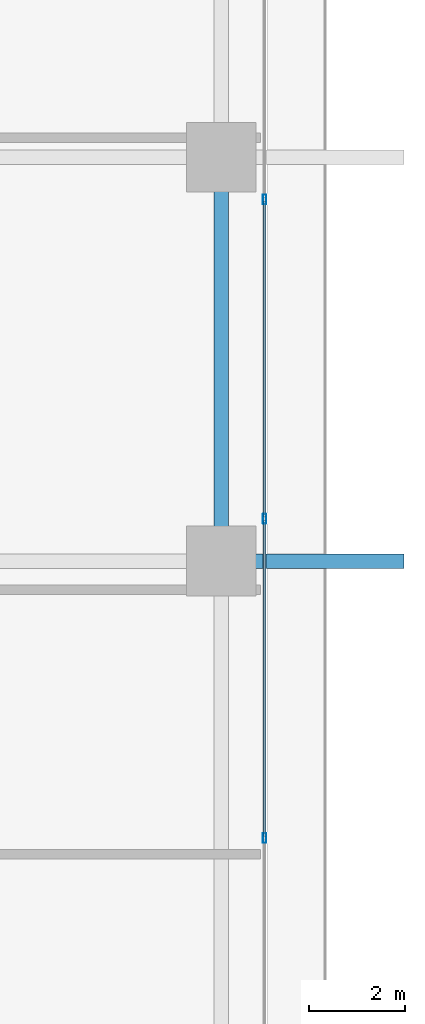
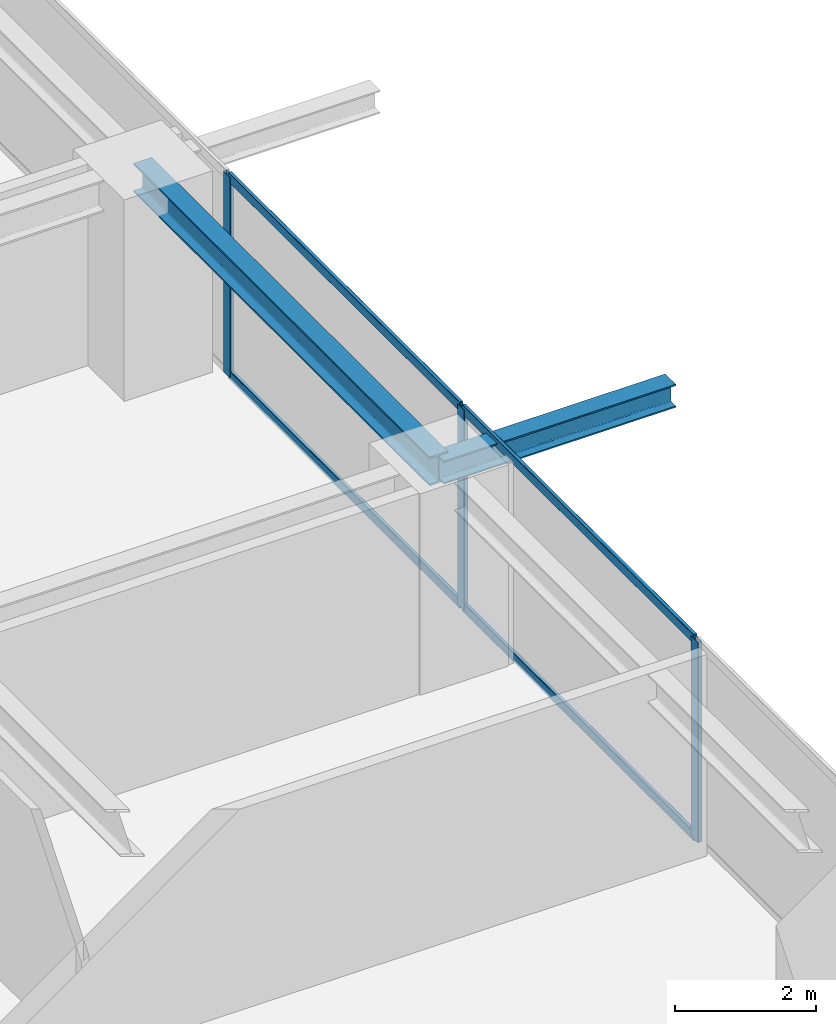
# One storey, part 15 of 40: 7 members, 2 beams, 1 element without a shape of its own.
"""IFC4 building model written with IfcOpenShell, lengths in metres."""

from ifc_helpers import new_model, si_unit, direction, frame, origin, origin_2d, place, context, subcontext, project, spatial, hollow_rectangle, i_section, extrude, source, transform, mapped, material, layer, layer_set, material_profile, profile_set, type_object, element, aggregate, save


model = new_model("IFC4")

# Units and contexts
model_context = context("Model", 3, precision=1e-05, world=origin(), true_north=direction((0.0, 1.0)))
body_context = subcontext(model_context, "Body", "Model", "MODEL_VIEW")
ifc_project = project(units=[si_unit("LENGTHUNIT", "METRE"), si_unit("AREAUNIT", "SQUARE_METRE"), si_unit("VOLUMEUNIT", "CUBIC_METRE"), si_unit("PLANEANGLEUNIT", "RADIAN"), si_unit("MASSUNIT", "GRAM", prefix="KILO")], contexts=[model_context])

# Site, building, storey
site_placement = place(None, origin())
site = spatial("IfcSite", under=ifc_project, at=site_placement, CompositionType="ELEMENT")
building_placement = place(site_placement, origin())
building = spatial("IfcBuilding", under=site, at=building_placement, Name="Serunith Strait Residences", CompositionType="ELEMENT")
storey_placement = place(building_placement, frame((0.0, 0.0, 90.449951171875)))
storey = spatial("IfcBuildingStorey", under=building, at=storey_placement, Name="L22", CompositionType="ELEMENT", Elevation=90.449951171875)

# Beams
ifc_material_1 = material(Name="Steel S355J2", Category="steel")
ifc_material_profile_1 = material_profile(ifc_material_1, i_section(OverallWidth=0.300048828125, OverallDepth=0.5, WebThickness=0.014404296875, FlangeThickness=0.028076171875, FilletRadius=0.027099609375, at=origin_2d()), Name="HEB 500")
ifc_profile_set_1 = profile_set([ifc_material_profile_1], Name="Steel S355J2")
beam_type_1 = type_object("IfcBeamType", Name="BM-HEB500", PredefinedType="BEAM", material=ifc_profile_set_1)
shared_shape_1 = source(origin(), body_context, "Body", "SweptSolid", [
    extrude(i_section(OverallWidth=0.300048828125, OverallDepth=0.5, WebThickness=0.014404296875, FlangeThickness=0.028076171875, FilletRadius=0.027099609375, at=origin_2d()), origin(), (0.0, 0.0, 1.0), 8.39990234375),
])
beam_1_placement = place(storey_placement, frame((57.89990234375, 21.0, 3.237060546875), z_axis=(0.0, 1.0, 0.0), x_axis=(-1.0, 0.0, 0.0)))
element("IfcBeam", 1, at=beam_1_placement, inside=storey, type_object=beam_type_1, Name="L22 Perimeter Ring Beam 06", PredefinedType="BEAM", context=body_context, shape_type="MappedRepresentation", body=[
    mapped(shared_shape_1, transform((0.0, 0.0, 0.0), scale=1.0)),
])
ifc_material_profile_2 = material_profile(ifc_material_1, i_section(OverallWidth=0.300048828125, OverallDepth=0.39990234375, WebThickness=0.013427734375, FlangeThickness=0.02392578125, FilletRadius=0.027099609375, at=origin_2d()), Name="HEB 400")
ifc_profile_set_2 = profile_set([ifc_material_profile_2], Name="Steel S355J2")
beam_type_2 = type_object("IfcBeamType", Name="BM-HEB400", PredefinedType="BEAM", material=ifc_profile_set_2)
shared_shape_2 = source(origin(), body_context, "Body", "SweptSolid", [
    extrude(i_section(OverallWidth=0.300048828125, OverallDepth=0.39990234375, WebThickness=0.013427734375, FlangeThickness=0.02392578125, FilletRadius=0.027099609375, at=origin_2d()), origin(), (0.0, 0.0, 1.0), 3.800048828125),
])
beam_2_placement = place(storey_placement, frame((57.89990234375, 21.0, 3.257080078125), z_axis=(1.0, 0.0, 0.0), x_axis=(0.0, 1.0, 0.0)))
element("IfcBeam", 2, at=beam_2_placement, inside=storey, type_object=beam_type_2, Name="L23 Cantilevered Balcony Rib TC-E2", PredefinedType="BEAM", context=body_context, shape_type="MappedRepresentation", body=[
    mapped(shared_shape_2, transform((0.0, 0.0, 0.0), scale=1.0)),
])

# Curtain wall, members
ifc_material_2 = material(Name="Pale-Champagne Anodised Aluminium", Category="aluminium")
ifc_layer = layer(ifc_material_2, 0.199951171875, Name="Pale-Champagne Anodised Aluminium")
ifc_layer_set = layer_set([ifc_layer], Name="Pale-Champagne Anodised Aluminium")
curtain_wall_type = type_object("IfcCurtainWallType", Name="CW-SYS1", PredefinedType="NOTDEFINED", material=ifc_layer_set)
curtain_wall_placement = place(storey_placement, origin())
curtain_wall = element("IfcCurtainWall", 3, at=curtain_wall_placement, inside=storey, type_object=curtain_wall_type, Name="L22 E Unitised Fritted Curtain Wall", PredefinedType="NOTDEFINED")
ifc_material_profile_3 = material_profile(ifc_material_2, hollow_rectangle(XDim=0.070068359375, YDim=0.199951171875, WallThickness=0.00390625, InnerFilletRadius=0.006103515625, OuterFilletRadius=0.010009765625, at=origin_2d()), Name="ALU 200x70x4")
ifc_profile_set_3 = profile_set([ifc_material_profile_3], Name="Pale-Champagne Anodised Aluminium")
member_type_1 = type_object("IfcMemberType", Name="CW-SYS1-MULL", PredefinedType="MULLION", material=ifc_profile_set_3)
shared_shape_3 = source(origin(), body_context, "Body", "SweptSolid", [
    extrude(hollow_rectangle(XDim=0.070068359375, YDim=0.199951171875, WallThickness=0.00390625, InnerFilletRadius=0.006103515625, OuterFilletRadius=0.010009765625, at=origin_2d()), origin(), (0.0, 0.0, 1.0), 3.47509765625),
])
member_1_placement = place(storey_placement, frame((58.800048828125, 15.239990234375, 0.0), z_axis=(0.0, 0.0, 1.0), x_axis=(-1.0, 0.0, 0.0)))
member_1 = element("IfcMember", 4, at=member_1_placement, type_object=member_type_1, Name="CW-1 mullion 2", PredefinedType="MULLION", context=body_context, shape_type="MappedRepresentation", body=[
    mapped(shared_shape_3, transform((0.0, 0.0, 0.0), scale=1.0)),
])
member_2_placement = place(storey_placement, frame((58.800048828125, 21.8798828125, 0.0), z_axis=(0.0, 0.0, 1.0), x_axis=(-1.0, 0.0, 0.0)))
member_2 = element("IfcMember", 5, at=member_2_placement, type_object=member_type_1, Name="CW-1 mullion 3", PredefinedType="MULLION", context=body_context, shape_type="MappedRepresentation", body=[
    mapped(shared_shape_3, transform((0.0, 0.0, 0.0), scale=1.0)),
])
member_3_placement = place(storey_placement, frame((58.800048828125, 28.52001953125, 0.0), z_axis=(0.0, 0.0, 1.0), x_axis=(-1.0, 0.0, 0.0)))
member_3 = element("IfcMember", 6, at=member_3_placement, type_object=member_type_1, Name="CW-1 mullion 4", PredefinedType="MULLION", context=body_context, shape_type="MappedRepresentation", body=[
    mapped(shared_shape_3, transform((0.0, 0.0, 0.0), scale=1.0)),
])
ifc_material_profile_4 = material_profile(ifc_material_2, hollow_rectangle(XDim=0.06005859375, YDim=0.159912109375, WallThickness=0.00341796875, InnerFilletRadius=0.00537109375, OuterFilletRadius=0.0087890625, at=origin_2d()), Name="ALU 160x60x3.5")
ifc_profile_set_4 = profile_set([ifc_material_profile_4], Name="Pale-Champagne Anodised Aluminium")
member_type_2 = type_object("IfcMemberType", Name="CW-SYS1-TRAN", PredefinedType="USERDEFINED", material=ifc_profile_set_4)
shared_shape_4 = source(origin(), body_context, "Body", "SweptSolid", [
    extrude(hollow_rectangle(XDim=0.06005859375, YDim=0.159912109375, WallThickness=0.00341796875, InnerFilletRadius=0.00537109375, OuterFilletRadius=0.0087890625, at=origin_2d()), origin(), (0.0, 0.0, 1.0), 6.570068359375),
])
member_4_placement = place(storey_placement, frame((58.800048828125, 15.27490234375, 0.030029296875), z_axis=(0.0, 1.0, 0.0), x_axis=(-1.0, 0.0, 0.0)))
member_4 = element("IfcMember", 7, at=member_4_placement, type_object=member_type_2, Name="CW-1 transom 2.1", ObjectType="TRANSOM", PredefinedType="USERDEFINED", context=body_context, shape_type="MappedRepresentation", body=[
    mapped(shared_shape_4, transform((0.0, 0.0, 0.0), scale=1.0)),
])
member_5_placement = place(storey_placement, frame((58.800048828125, 15.27490234375, 3.445068359375), z_axis=(0.0, 1.0, 0.0), x_axis=(-1.0, 0.0, 0.0)))
member_5 = element("IfcMember", 8, at=member_5_placement, type_object=member_type_2, Name="CW-1 transom 2.2", ObjectType="TRANSOM", PredefinedType="USERDEFINED", context=body_context, shape_type="MappedRepresentation", body=[
    mapped(shared_shape_4, transform((0.0, 0.0, 0.0), scale=1.0)),
])
member_6_placement = place(storey_placement, frame((58.800048828125, 21.9150390625, 0.030029296875), z_axis=(0.0, 1.0, 0.0), x_axis=(-1.0, 0.0, 0.0)))
member_6 = element("IfcMember", 9, at=member_6_placement, type_object=member_type_2, Name="CW-1 transom 3.1", ObjectType="TRANSOM", PredefinedType="USERDEFINED", context=body_context, shape_type="MappedRepresentation", body=[
    mapped(shared_shape_4, transform((0.0, 0.0, 0.0), scale=1.0)),
])
member_7_placement = place(storey_placement, frame((58.800048828125, 21.9150390625, 3.445068359375), z_axis=(0.0, 1.0, 0.0), x_axis=(-1.0, 0.0, 0.0)))
member_7 = element("IfcMember", 10, at=member_7_placement, type_object=member_type_2, Name="CW-1 transom 3.2", ObjectType="TRANSOM", PredefinedType="USERDEFINED", context=body_context, shape_type="MappedRepresentation", body=[
    mapped(shared_shape_4, transform((0.0, 0.0, 0.0), scale=1.0)),
])
aggregate(curtain_wall, [member_1, member_2, member_3, member_4, member_5, member_6, member_7])

save(model, "model.ifc")
